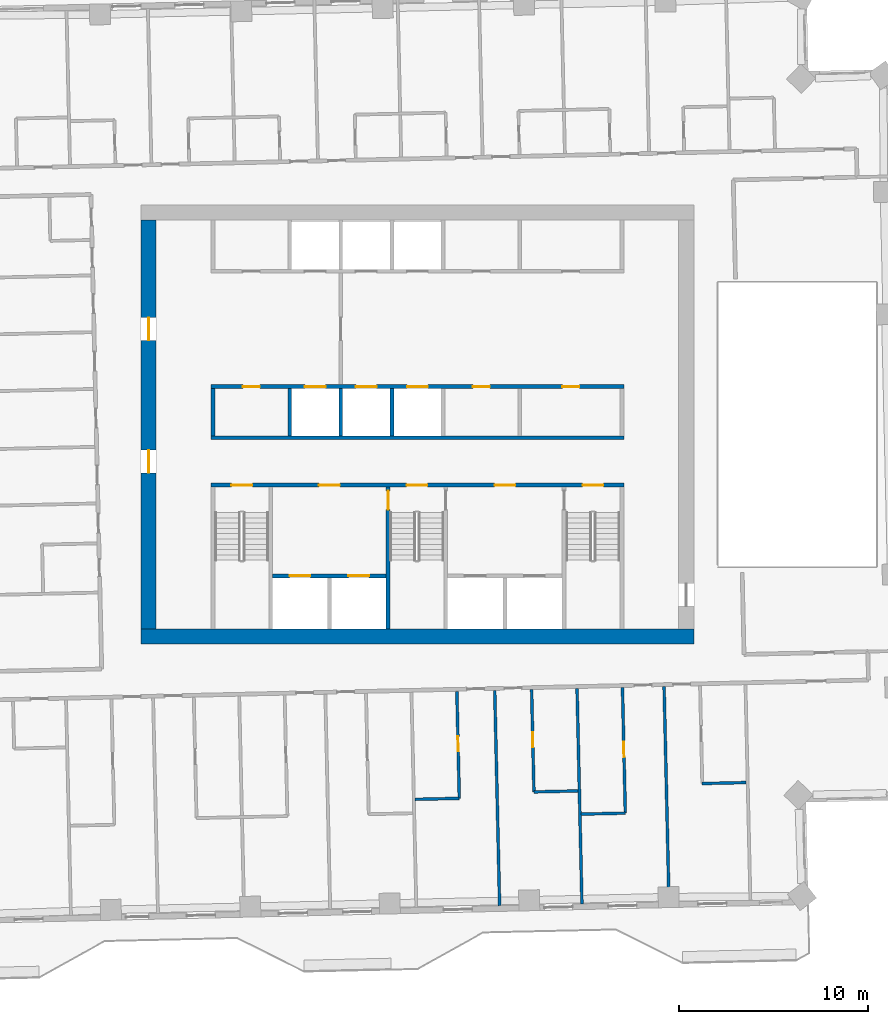
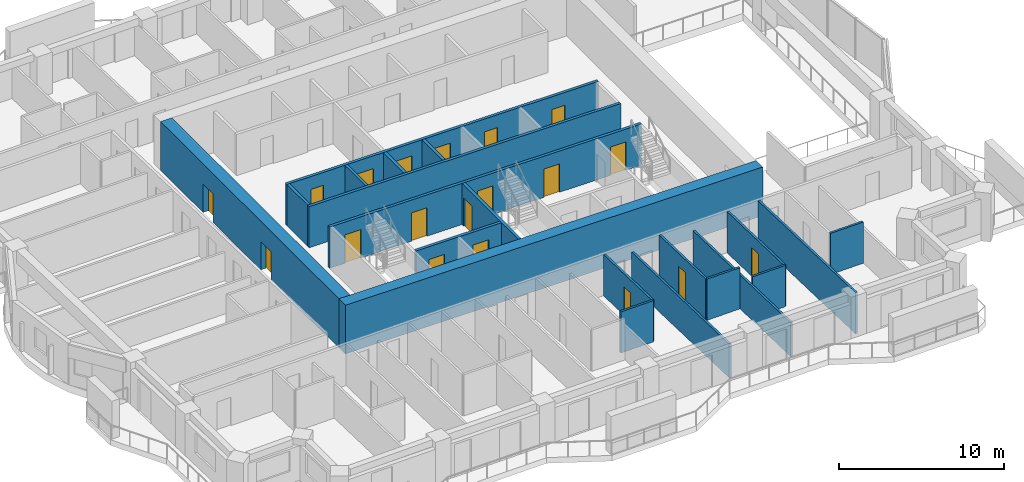
# One storey, part 8 of 17: 21 walls, 19 doors, 19 openings.
"""IFC4 building model written with IfcOpenShell, lengths in metres."""

from ifc_helpers import new_model, si_unit, direction, frame, frame_2d, origin, place, context, subcontext, project, spatial, rectangle, extrude, material, layer, layer_set, type_object, element, fill, save


model = new_model("IFC4")

# Units and contexts
model_context = context("Model", 3, precision=1e-05, world=origin(), true_north=direction((0.0, 1.0)))
body_context = subcontext(model_context, "Body", "Model", "MODEL_VIEW")
ifc_project = project(units=[si_unit("LENGTHUNIT", "METRE"), si_unit("AREAUNIT", "SQUARE_METRE"), si_unit("VOLUMEUNIT", "CUBIC_METRE"), si_unit("PLANEANGLEUNIT", "RADIAN"), si_unit("MASSUNIT", "GRAM", prefix="KILO")], contexts=[model_context])

# Site, building, storey
site_placement = place(None, origin())
site = spatial("IfcSite", under=ifc_project, at=site_placement, CompositionType="ELEMENT")
building_placement = place(site_placement, origin())
building = spatial("IfcBuilding", under=site, at=building_placement, Name="Mangrove Gate Tower", CompositionType="ELEMENT")
storey_placement = place(building_placement, frame((0.0, 0.0, 238.300048828125)))
storey = spatial("IfcBuildingStorey", under=building, at=storey_placement, Name="L60", CompositionType="ELEMENT", Elevation=238.300048828125)

# Walls
ifc_material_1 = material(Name="Concrete C32/40", Category="concrete")
ifc_layer_1 = layer(ifc_material_1, 0.199951171875)
ifc_layer_set_1 = layer_set([ifc_layer_1], Name="Core room wall 200 C32/40")
wall_type_1 = type_object("IfcWallType", Name="Core room wall 200 C32/40", PredefinedType="STANDARD", material=ifc_layer_set_1)
wall_1_placement = place(storey_placement, frame((-10.800048828125, -0.60009765625, 0.0), z_axis=(0.0, 0.0, 1.0), x_axis=(0.0, 1.0, 0.0)))
element("IfcWall", 1, at=wall_1_placement, inside=storey, type_object=wall_type_1, Name="WALL-L60-CORE-19", PredefinedType="STANDARD", context=body_context, shape_type="SweptSolid", body=[
    extrude(rectangle(XDim=2.5, YDim=0.199951171875, at=frame_2d((1.25, 0.0))), origin(), (0.0, 0.0, 1.0), 3.050048828125),
])
ifc_material_2 = material(Name="Concrete C60/75", Category="concrete")
ifc_layer_2 = layer(ifc_material_2, 0.199951171875)
ifc_layer_set_2 = layer_set([ifc_layer_2], Name="Core shaft wall 200 C60/75")
wall_type_2 = type_object("IfcWallType", Name="Core shaft wall 200 C60/75", PredefinedType="SHEAR", material=ifc_layer_set_2)
wall_2_placement = place(storey_placement, frame((-10.89990234375, -0.699951171875, 0.0), z_axis=(0.0, 0.0, 1.0), x_axis=(1.0, 0.0, 0.0)))
element("IfcWall", 2, at=wall_2_placement, inside=storey, type_object=wall_type_2, Name="WALL-L60-CORE-6", PredefinedType="SHEAR", context=body_context, shape_type="SweptSolid", body=[
    extrude(rectangle(XDim=21.7998046875, YDim=0.199951171875, at=frame_2d((10.89990234375, 0.0))), origin(), (0.0, 0.0, 1.0), 3.050048828125),
])

# Wall, openings, doors
wall_3_placement = place(storey_placement, frame((-10.89990234375, 2.0, 0.0), z_axis=(0.0, 0.0, 1.0), x_axis=(1.0, 0.0, 0.0)))
wall_3 = element("IfcWall", 3, at=wall_3_placement, inside=storey, type_object=wall_type_2, Name="WALL-L60-CORE-7", PredefinedType="SHEAR", context=body_context, shape_type="SweptSolid", body=[
    extrude(rectangle(XDim=21.7998046875, YDim=0.199951171875, at=frame_2d((10.89990234375, 0.0))), origin(), (0.0, 0.0, 1.0), 3.050048828125),
])
opening_1_placement = place(wall_3_placement, frame((4.949951171875, 0.0, 0.0)))
opening_1 = element("IfcOpeningElement", 4, at=opening_1_placement, cuts=wall_3, Name="Opening LD", PredefinedType="OPENING", context=body_context, shape_type="SweptSolid", body=[
    extrude(rectangle(XDim=1.10009765625, YDim=2.10009765625, at=frame_2d((0.550048828125, 1.050048828125))), frame((0.0, 0.10986328125, 0.0), z_axis=(0.0, -1.0, 0.0), x_axis=(1.0, 0.0, 0.0)), (0.0, 0.0, 1.0), 0.219970703125),
])
opening_2_placement = place(wall_3_placement, frame((7.64990234375, 0.0, 0.0)))
opening_2 = element("IfcOpeningElement", 5, at=opening_2_placement, cuts=wall_3, Name="Opening LD", PredefinedType="OPENING", context=body_context, shape_type="SweptSolid", body=[
    extrude(rectangle(XDim=1.10009765625, YDim=2.10009765625, at=frame_2d((0.550048828125, 1.050048828125))), frame((0.0, 0.10986328125, 0.0), z_axis=(0.0, -1.0, 0.0), x_axis=(1.0, 0.0, 0.0)), (0.0, 0.0, 1.0), 0.219970703125),
])
opening_3_placement = place(wall_3_placement, frame((10.35009765625, 0.0, 0.0)))
opening_3 = element("IfcOpeningElement", 6, at=opening_3_placement, cuts=wall_3, Name="Opening LD", PredefinedType="OPENING", context=body_context, shape_type="SweptSolid", body=[
    extrude(rectangle(XDim=1.10009765625, YDim=2.10009765625, at=frame_2d((0.550048828125, 1.050048828125))), frame((0.0, 0.10986328125, 0.0), z_axis=(0.0, -1.0, 0.0), x_axis=(1.0, 0.0, 0.0)), (0.0, 0.0, 1.0), 0.219970703125),
])
opening_4_placement = place(wall_3_placement, frame((1.675048828125, 0.0, 0.0)))
opening_4 = element("IfcOpeningElement", 7, at=opening_4_placement, cuts=wall_3, Name="Opening RD", PredefinedType="OPENING", context=body_context, shape_type="SweptSolid", body=[
    extrude(rectangle(XDim=0.89990234375, YDim=2.10009765625, at=frame_2d((0.449951171875, 1.050048828125))), frame((0.0, 0.10986328125, 0.0), z_axis=(0.0, -1.0, 0.0), x_axis=(1.0, 0.0, 0.0)), (0.0, 0.0, 1.0), 0.219970703125),
])
opening_5_placement = place(wall_3_placement, frame((13.824951171875, 0.0, 0.0)))
opening_5 = element("IfcOpeningElement", 8, at=opening_5_placement, cuts=wall_3, Name="Opening KD", PredefinedType="OPENING", context=body_context, shape_type="SweptSolid", body=[
    extrude(rectangle(XDim=0.89990234375, YDim=2.10009765625, at=frame_2d((0.449951171875, 1.050048828125))), frame((0.0, 0.10986328125, 0.0), z_axis=(0.0, -1.0, 0.0), x_axis=(1.0, 0.0, 0.0)), (0.0, 0.0, 1.0), 0.219970703125),
])
opening_6_placement = place(wall_3_placement, frame((18.550048828125, 0.0, 0.0)))
opening_6 = element("IfcOpeningElement", 9, at=opening_6_placement, cuts=wall_3, Name="Opening KD", PredefinedType="OPENING", context=body_context, shape_type="SweptSolid", body=[
    extrude(rectangle(XDim=0.89990234375, YDim=2.10009765625, at=frame_2d((0.449951171875, 1.050048828125))), frame((0.0, 0.10986328125, 0.0), z_axis=(0.0, -1.0, 0.0), x_axis=(1.0, 0.0, 0.0)), (0.0, 0.0, 1.0), 0.219970703125),
])
ifc_material_3 = material(Name="Fire-rated steel door set", Category="steel")
door_type_1 = type_object("IfcDoorType", Name="Core room door FD30S 900x2100", OperationType="SINGLE_SWING_RIGHT", PredefinedType="DOOR", material=ifc_material_3)
door_1_placement = place(opening_5_placement, origin())
door_1 = element("IfcDoor", 10, at=door_1_placement, inside=storey, type_object=door_type_1, Name="Core room door Core WC", OperationType="SINGLE_SWING_RIGHT", OverallHeight=2.10009765625, OverallWidth=0.89990234375, PredefinedType="DOOR", context=body_context, shape_type="SweptSolid", body=[
    extrude(rectangle(XDim=0.89990234375, YDim=2.10009765625, at=frame_2d((0.449951171875, 1.050048828125))), frame((0.0, 0.02490234375, 0.0), z_axis=(0.0, -1.0, 0.0), x_axis=(1.0, 0.0, 0.0)), (0.0, 0.0, 1.0), 0.050048828125),
])
fill(opening_5, door_1)
door_2_placement = place(opening_6_placement, origin())
door_2 = element("IfcDoor", 11, at=door_2_placement, inside=storey, type_object=door_type_1, Name="Core room door Pantry store", OperationType="SINGLE_SWING_RIGHT", OverallHeight=2.10009765625, OverallWidth=0.89990234375, PredefinedType="DOOR", context=body_context, shape_type="SweptSolid", body=[
    extrude(rectangle(XDim=0.89990234375, YDim=2.10009765625, at=frame_2d((0.449951171875, 1.050048828125))), frame((0.0, 0.02490234375, 0.0), z_axis=(0.0, -1.0, 0.0), x_axis=(1.0, 0.0, 0.0)), (0.0, 0.0, 1.0), 0.050048828125),
])
fill(opening_6, door_2)
ifc_material_4 = material(Name="Stainless steel 316", Category="steel")
door_type_2 = type_object("IfcDoorType", Name="Lift landing door 1100x2100", OperationType="SLIDING_TO_LEFT", PredefinedType="DOOR", material=ifc_material_4)
door_3_placement = place(opening_1_placement, origin())
door_3 = element("IfcDoor", 12, at=door_3_placement, inside=storey, type_object=door_type_2, Name="Landing door LD H01", OperationType="SLIDING_TO_LEFT", OverallHeight=2.10009765625, OverallWidth=1.10009765625, PredefinedType="DOOR", context=body_context, shape_type="SweptSolid", body=[
    extrude(rectangle(XDim=1.10009765625, YDim=2.10009765625, at=frame_2d((0.550048828125, 1.050048828125))), frame((0.0, 0.02490234375, 0.0), z_axis=(0.0, -1.0, 0.0), x_axis=(1.0, 0.0, 0.0)), (0.0, 0.0, 1.0), 0.050048828125),
])
fill(opening_1, door_3)
door_4_placement = place(opening_2_placement, origin())
door_4 = element("IfcDoor", 13, at=door_4_placement, inside=storey, type_object=door_type_2, Name="Landing door LD H02", OperationType="SLIDING_TO_LEFT", OverallHeight=2.10009765625, OverallWidth=1.10009765625, PredefinedType="DOOR", context=body_context, shape_type="SweptSolid", body=[
    extrude(rectangle(XDim=1.10009765625, YDim=2.10009765625, at=frame_2d((0.550048828125, 1.050048828125))), frame((0.0, 0.02490234375, 0.0), z_axis=(0.0, -1.0, 0.0), x_axis=(1.0, 0.0, 0.0)), (0.0, 0.0, 1.0), 0.050048828125),
])
fill(opening_2, door_4)
door_5_placement = place(opening_3_placement, origin())
door_5 = element("IfcDoor", 14, at=door_5_placement, inside=storey, type_object=door_type_2, Name="Landing door LD H03", OperationType="SLIDING_TO_LEFT", OverallHeight=2.10009765625, OverallWidth=1.10009765625, PredefinedType="DOOR", context=body_context, shape_type="SweptSolid", body=[
    extrude(rectangle(XDim=1.10009765625, YDim=2.10009765625, at=frame_2d((0.550048828125, 1.050048828125))), frame((0.0, 0.02490234375, 0.0), z_axis=(0.0, -1.0, 0.0), x_axis=(1.0, 0.0, 0.0)), (0.0, 0.0, 1.0), 0.050048828125),
])
fill(opening_3, door_5)
ifc_material_5 = material(Name="Fire-rated steel door set", Category="steel")
door_type_3 = type_object("IfcDoorType", Name="Riser door FD30S 900x2100", OperationType="SINGLE_SWING_LEFT", PredefinedType="DOOR", material=ifc_material_5)
door_6_placement = place(opening_4_placement, origin())
door_6 = element("IfcDoor", 15, at=door_6_placement, inside=storey, type_object=door_type_3, Name="Riser door Comms room", OperationType="SINGLE_SWING_LEFT", OverallHeight=2.10009765625, OverallWidth=0.89990234375, PredefinedType="DOOR", context=body_context, shape_type="SweptSolid", body=[
    extrude(rectangle(XDim=0.89990234375, YDim=2.10009765625, at=frame_2d((0.449951171875, 1.050048828125))), frame((0.0, 0.02490234375, 0.0), z_axis=(0.0, -1.0, 0.0), x_axis=(1.0, 0.0, 0.0)), (0.0, 0.0, 1.0), 0.050048828125),
])
fill(opening_4, door_6)

wall_4_placement = place(storey_placement, frame((-7.64990234375, -8.0, 0.0), z_axis=(0.0, 0.0, 1.0), x_axis=(1.0, 0.0, 0.0)))
wall_4 = element("IfcWall", 16, at=wall_4_placement, inside=storey, type_object=wall_type_2, Name="WALL-L60-CORE-15", PredefinedType="SHEAR", context=body_context, shape_type="SweptSolid", body=[
    extrude(rectangle(XDim=6.0, YDim=0.199951171875, at=frame_2d((3.0, 0.0))), origin(), (0.0, 0.0, 1.0), 3.050048828125),
])
opening_7_placement = place(wall_4_placement, frame((0.89990234375, 0.0, 0.0)))
opening_7 = element("IfcOpeningElement", 17, at=opening_7_placement, cuts=wall_4, Name="Opening LD", PredefinedType="OPENING", context=body_context, shape_type="SweptSolid", body=[
    extrude(rectangle(XDim=1.10009765625, YDim=2.10009765625, at=frame_2d((0.550048828125, 1.050048828125))), frame((0.0, 0.10986328125, 0.0), z_axis=(0.0, -1.0, 0.0), x_axis=(1.0, 0.0, 0.0)), (0.0, 0.0, 1.0), 0.219970703125),
])
opening_8_placement = place(wall_4_placement, frame((4.0, 0.0, 0.0)))
opening_8 = element("IfcOpeningElement", 18, at=opening_8_placement, cuts=wall_4, Name="Opening LD", PredefinedType="OPENING", context=body_context, shape_type="SweptSolid", body=[
    extrude(rectangle(XDim=1.10009765625, YDim=2.10009765625, at=frame_2d((0.550048828125, 1.050048828125))), frame((0.0, 0.10986328125, 0.0), z_axis=(0.0, -1.0, 0.0), x_axis=(1.0, 0.0, 0.0)), (0.0, 0.0, 1.0), 0.219970703125),
])
door_7_placement = place(opening_7_placement, origin())
door_7 = element("IfcDoor", 19, at=door_7_placement, inside=storey, type_object=door_type_2, Name="Landing door LD SVL1", OperationType="SLIDING_TO_LEFT", OverallHeight=2.10009765625, OverallWidth=1.10009765625, PredefinedType="DOOR", context=body_context, shape_type="SweptSolid", body=[
    extrude(rectangle(XDim=1.10009765625, YDim=2.10009765625, at=frame_2d((0.550048828125, 1.050048828125))), frame((0.0, 0.02490234375, 0.0), z_axis=(0.0, -1.0, 0.0), x_axis=(1.0, 0.0, 0.0)), (0.0, 0.0, 1.0), 0.050048828125),
])
fill(opening_7, door_7)
door_8_placement = place(opening_8_placement, origin())
door_8 = element("IfcDoor", 20, at=door_8_placement, inside=storey, type_object=door_type_2, Name="Landing door LD SVL2", OperationType="SLIDING_TO_LEFT", OverallHeight=2.10009765625, OverallWidth=1.10009765625, PredefinedType="DOOR", context=body_context, shape_type="SweptSolid", body=[
    extrude(rectangle(XDim=1.10009765625, YDim=2.10009765625, at=frame_2d((0.550048828125, 1.050048828125))), frame((0.0, 0.02490234375, 0.0), z_axis=(0.0, -1.0, 0.0), x_axis=(1.0, 0.0, 0.0)), (0.0, 0.0, 1.0), 0.050048828125),
])
fill(opening_8, door_8)

# Walls
for number, where, z_axis, x_axis, name in (
    (21, (-6.75, -0.60009765625, 0.0), (0.0, 0.0, 1.0), (0.0, 1.0, 0.0), "WALL-L60-CORE-20"),
    (22, (-4.050048828125, -0.60009765625, 0.0), (0.0, 0.0, 1.0), (0.0, 1.0, 0.0), "WALL-L60-CORE-21"),
    (23, (-1.35009765625, -0.60009765625, 0.0), (0.0, 0.0, 1.0), (0.0, 1.0, 0.0), "WALL-L60-CORE-22"),
):
    element("IfcWall", number, at=place(storey_placement, frame(where, z_axis=z_axis, x_axis=x_axis)), inside=storey, type_object=wall_type_2, Name=name, PredefinedType="SHEAR", context=body_context, shape_type="SweptSolid", body=[
        extrude(rectangle(XDim=2.5, YDim=0.199951171875, at=frame_2d((1.25, 0.0))), origin(), (0.0, 0.0, 1.0), 3.050048828125),
    ])

# Wall, openings, doors
ifc_material_6 = material(Name="Concrete C60/75", Category="concrete")
ifc_layer_3 = layer(ifc_material_6, 0.199951171875)
ifc_layer_set_3 = layer_set([ifc_layer_3], Name="Core stair wall 200 C60/75")
wall_type_3 = type_object("IfcWallType", Name="Core stair wall 200 C60/75", PredefinedType="SHEAR", material=ifc_layer_set_3)
wall_5_placement = place(storey_placement, frame((-10.89990234375, -3.199951171875, 0.0), z_axis=(0.0, 0.0, 1.0), x_axis=(1.0, 0.0, 0.0)))
wall_5 = element("IfcWall", 24, at=wall_5_placement, inside=storey, type_object=wall_type_3, Name="WALL-L60-CORE-5", PredefinedType="SHEAR", context=body_context, shape_type="SweptSolid", body=[
    extrude(rectangle(XDim=21.7998046875, YDim=0.199951171875, at=frame_2d((10.89990234375, 0.0))), origin(), (0.0, 0.0, 1.0), 3.050048828125),
])
opening_9_placement = place(wall_5_placement, frame((1.074951171875, 0.0, 0.0)))
opening_9 = element("IfcOpeningElement", 25, at=opening_9_placement, cuts=wall_5, Name="Opening STD11", PredefinedType="OPENING", context=body_context, shape_type="SweptSolid", body=[
    extrude(rectangle(XDim=1.10009765625, YDim=2.10009765625, at=frame_2d((0.550048828125, 1.050048828125))), frame((0.0, 0.10986328125, 0.0), z_axis=(0.0, -1.0, 0.0), x_axis=(1.0, 0.0, 0.0)), (0.0, 0.0, 1.0), 0.219970703125),
])
opening_10_placement = place(wall_5_placement, frame((10.324951171875, 0.0, 0.0)))
opening_10 = element("IfcOpeningElement", 26, at=opening_10_placement, cuts=wall_5, Name="Opening STD11", PredefinedType="OPENING", context=body_context, shape_type="SweptSolid", body=[
    extrude(rectangle(XDim=1.10009765625, YDim=2.10009765625, at=frame_2d((0.550048828125, 1.050048828125))), frame((0.0, 0.10986328125, 0.0), z_axis=(0.0, -1.0, 0.0), x_axis=(1.0, 0.0, 0.0)), (0.0, 0.0, 1.0), 0.219970703125),
])
opening_11_placement = place(wall_5_placement, frame((19.625, 0.0, 0.0)))
opening_11 = element("IfcOpeningElement", 27, at=opening_11_placement, cuts=wall_5, Name="Opening STD11", PredefinedType="OPENING", context=body_context, shape_type="SweptSolid", body=[
    extrude(rectangle(XDim=1.10009765625, YDim=2.10009765625, at=frame_2d((0.550048828125, 1.050048828125))), frame((0.0, 0.10986328125, 0.0), z_axis=(0.0, -1.0, 0.0), x_axis=(1.0, 0.0, 0.0)), (0.0, 0.0, 1.0), 0.219970703125),
])
opening_12_placement = place(wall_5_placement, frame((5.699951171875, 0.0, 0.0)))
opening_12 = element("IfcOpeningElement", 28, at=opening_12_placement, cuts=wall_5, Name="Opening FL", PredefinedType="OPENING", context=body_context, shape_type="SweptSolid", body=[
    extrude(rectangle(XDim=1.10009765625, YDim=2.10009765625, at=frame_2d((0.550048828125, 1.050048828125))), frame((0.0, 0.10986328125, 0.0), z_axis=(0.0, -1.0, 0.0), x_axis=(1.0, 0.0, 0.0)), (0.0, 0.0, 1.0), 0.219970703125),
])
opening_13_placement = place(wall_5_placement, frame((14.97509765625, 0.0, 0.0)))
opening_13 = element("IfcOpeningElement", 29, at=opening_13_placement, cuts=wall_5, Name="Opening FL", PredefinedType="OPENING", context=body_context, shape_type="SweptSolid", body=[
    extrude(rectangle(XDim=1.10009765625, YDim=2.10009765625, at=frame_2d((0.550048828125, 1.050048828125))), frame((0.0, 0.10986328125, 0.0), z_axis=(0.0, -1.0, 0.0), x_axis=(1.0, 0.0, 0.0)), (0.0, 0.0, 1.0), 0.219970703125),
])
ifc_material_7 = material(Name="Fire-rated steel door set", Category="steel")
door_type_4 = type_object("IfcDoorType", Name="Lobby door FD60 1100x2100", OperationType="SINGLE_SWING_LEFT", PredefinedType="DOOR", material=ifc_material_7)
door_9_placement = place(opening_12_placement, origin())
door_9 = element("IfcDoor", 30, at=door_9_placement, inside=storey, type_object=door_type_4, Name="Lobby door service lobby", OperationType="SINGLE_SWING_LEFT", OverallHeight=2.10009765625, OverallWidth=1.10009765625, PredefinedType="DOOR", context=body_context, shape_type="SweptSolid", body=[
    extrude(rectangle(XDim=1.10009765625, YDim=2.10009765625, at=frame_2d((0.550048828125, 1.050048828125))), frame((0.0, 0.02490234375, 0.0), z_axis=(0.0, -1.0, 0.0), x_axis=(1.0, 0.0, 0.0)), (0.0, 0.0, 1.0), 0.050048828125),
])
fill(opening_12, door_9)
door_10_placement = place(opening_13_placement, origin())
door_10 = element("IfcDoor", 31, at=door_10_placement, inside=storey, type_object=door_type_4, Name="Lobby door fire-fighting lobby", OperationType="SINGLE_SWING_LEFT", OverallHeight=2.10009765625, OverallWidth=1.10009765625, PredefinedType="DOOR", context=body_context, shape_type="SweptSolid", body=[
    extrude(rectangle(XDim=1.10009765625, YDim=2.10009765625, at=frame_2d((0.550048828125, 1.050048828125))), frame((0.0, 0.02490234375, 0.0), z_axis=(0.0, -1.0, 0.0), x_axis=(1.0, 0.0, 0.0)), (0.0, 0.0, 1.0), 0.050048828125),
])
fill(opening_13, door_10)
ifc_material_8 = material(Name="Fire-rated steel door set", Category="steel")
door_type_5 = type_object("IfcDoorType", Name="Stair door FD60 1100x2100", OperationType="SINGLE_SWING_RIGHT", PredefinedType="DOOR", material=ifc_material_8)
door_11_placement = place(opening_9_placement, origin())
door_11 = element("IfcDoor", 32, at=door_11_placement, inside=storey, type_object=door_type_5, Name="Stair door Stair 1", OperationType="SINGLE_SWING_RIGHT", OverallHeight=2.10009765625, OverallWidth=1.10009765625, PredefinedType="DOOR", context=body_context, shape_type="SweptSolid", body=[
    extrude(rectangle(XDim=1.10009765625, YDim=2.10009765625, at=frame_2d((0.550048828125, 1.050048828125))), frame((0.0, 0.02490234375, 0.0), z_axis=(0.0, -1.0, 0.0), x_axis=(1.0, 0.0, 0.0)), (0.0, 0.0, 1.0), 0.050048828125),
])
fill(opening_9, door_11)
door_12_placement = place(opening_10_placement, origin())
door_12 = element("IfcDoor", 33, at=door_12_placement, inside=storey, type_object=door_type_5, Name="Stair door Stair 2", OperationType="SINGLE_SWING_RIGHT", OverallHeight=2.10009765625, OverallWidth=1.10009765625, PredefinedType="DOOR", context=body_context, shape_type="SweptSolid", body=[
    extrude(rectangle(XDim=1.10009765625, YDim=2.10009765625, at=frame_2d((0.550048828125, 1.050048828125))), frame((0.0, 0.02490234375, 0.0), z_axis=(0.0, -1.0, 0.0), x_axis=(1.0, 0.0, 0.0)), (0.0, 0.0, 1.0), 0.050048828125),
])
fill(opening_10, door_12)
door_13_placement = place(opening_11_placement, origin())
door_13 = element("IfcDoor", 34, at=door_13_placement, inside=storey, type_object=door_type_5, Name="Stair door Stair 3", OperationType="SINGLE_SWING_RIGHT", OverallHeight=2.10009765625, OverallWidth=1.10009765625, PredefinedType="DOOR", context=body_context, shape_type="SweptSolid", body=[
    extrude(rectangle(XDim=1.10009765625, YDim=2.10009765625, at=frame_2d((0.550048828125, 1.050048828125))), frame((0.0, 0.02490234375, 0.0), z_axis=(0.0, -1.0, 0.0), x_axis=(1.0, 0.0, 0.0)), (0.0, 0.0, 1.0), 0.050048828125),
])
fill(opening_11, door_13)

# Wall, opening, door
wall_6_placement = place(storey_placement, frame((-1.550048828125, -10.800048828125, 0.0), z_axis=(0.0, 0.0, 1.0), x_axis=(0.0, 1.0, 0.0)))
wall_6 = element("IfcWall", 35, at=wall_6_placement, inside=storey, type_object=wall_type_3, Name="WALL-L60-CORE-11", PredefinedType="SHEAR", context=body_context, shape_type="SweptSolid", body=[
    extrude(rectangle(XDim=7.5, YDim=0.199951171875, at=frame_2d((3.75, 0.0))), origin(), (0.0, 0.0, 1.0), 3.050048828125),
])
opening_14_placement = place(wall_6_placement, frame((6.300048828125, 0.0, 0.0)))
opening_14 = element("IfcOpeningElement", 36, at=opening_14_placement, cuts=wall_6, Name="Opening STD10", PredefinedType="OPENING", context=body_context, shape_type="SweptSolid", body=[
    extrude(rectangle(XDim=1.0, YDim=2.10009765625, at=frame_2d((0.5, 1.050048828125))), frame((0.0, 0.10986328125, 0.0), z_axis=(0.0, -1.0, 0.0), x_axis=(1.0, 0.0, 0.0)), (0.0, 0.0, 1.0), 0.219970703125),
])
ifc_material_9 = material(Name="Fire-rated steel door set", Category="steel")
door_type_6 = type_object("IfcDoorType", Name="Stair door FD60 1000x2100", OperationType="SINGLE_SWING_RIGHT", PredefinedType="DOOR", material=ifc_material_9)
door_14_placement = place(opening_14_placement, origin())
door_14 = element("IfcDoor", 37, at=door_14_placement, inside=storey, type_object=door_type_6, Name="Stair door Stair 2 from service lobby", OperationType="SINGLE_SWING_RIGHT", OverallHeight=2.10009765625, OverallWidth=1.0, PredefinedType="DOOR", context=body_context, shape_type="SweptSolid", body=[
    extrude(rectangle(XDim=1.0, YDim=2.10009765625, at=frame_2d((0.5, 1.050048828125))), frame((0.0, 0.02490234375, 0.0), z_axis=(0.0, -1.0, 0.0), x_axis=(1.0, 0.0, 0.0)), (0.0, 0.0, 1.0), 0.050048828125),
])
fill(opening_14, door_14)

# Wall
ifc_material_10 = material(Name="Concrete C60/75", Category="concrete")
ifc_layer_4 = layer(ifc_material_10, 0.800048828125)
ifc_layer_set_4 = layer_set([ifc_layer_4], Name="Core wall 800 C60/75")
wall_type_4 = type_object("IfcWallType", Name="Core wall 800 C60/75", PredefinedType="SHEAR", material=ifc_layer_set_4)
wall_7_placement = place(storey_placement, frame((-14.60009765625, -11.199951171875, 0.0), z_axis=(0.0, 0.0, 1.0), x_axis=(1.0, 0.0, 0.0)))
element("IfcWall", 38, at=wall_7_placement, inside=storey, type_object=wall_type_4, Name="WALL-L60-CORE-1", PredefinedType="SHEAR", context=body_context, shape_type="SweptSolid", body=[
    extrude(rectangle(XDim=29.2001953125, YDim=0.800048828125, at=frame_2d((14.60009765625, 0.0))), origin(), (0.0, 0.0, 1.0), 3.599853515625),
])

# Wall, openings, doors
wall_8_placement = place(storey_placement, frame((-14.199951171875, -10.800048828125, 0.0), z_axis=(0.0, 0.0, 1.0), x_axis=(0.0, 1.0, 0.0)))
wall_8 = element("IfcWall", 39, at=wall_8_placement, inside=storey, type_object=wall_type_4, Name="WALL-L60-CORE-3", PredefinedType="SHEAR", context=body_context, shape_type="SweptSolid", body=[
    extrude(rectangle(XDim=21.60009765625, YDim=0.800048828125, at=frame_2d((10.800048828125, 0.0))), origin(), (0.0, 0.0, 1.0), 3.599853515625),
])
opening_15_placement = place(wall_8_placement, frame((8.25, 0.0, 0.0)))
opening_15 = element("IfcOpeningElement", 40, at=opening_15_placement, cuts=wall_8, Name="Opening CD", PredefinedType="OPENING", context=body_context, shape_type="SweptSolid", body=[
    extrude(rectangle(XDim=1.199951171875, YDim=2.10009765625, at=frame_2d((0.60009765625, 1.050048828125))), frame((0.0, 0.409912109375, 0.0), z_axis=(0.0, -1.0, 0.0), x_axis=(1.0, 0.0, 0.0)), (0.0, 0.0, 1.0), 0.820068359375),
])
opening_16_placement = place(wall_8_placement, frame((15.25, 0.0, 0.0)))
opening_16 = element("IfcOpeningElement", 41, at=opening_16_placement, cuts=wall_8, Name="Opening CD", PredefinedType="OPENING", context=body_context, shape_type="SweptSolid", body=[
    extrude(rectangle(XDim=1.199951171875, YDim=2.10009765625, at=frame_2d((0.60009765625, 1.050048828125))), frame((0.0, 0.409912109375, 0.0), z_axis=(0.0, -1.0, 0.0), x_axis=(1.0, 0.0, 0.0)), (0.0, 0.0, 1.0), 0.820068359375),
])
ifc_material_11 = material(Name="Fire-rated steel door set", Category="steel")
door_type_7 = type_object("IfcDoorType", Name="Core ring door FD60 1200x2100", OperationType="DOUBLE_DOOR_SINGLE_SWING", PredefinedType="DOOR", material=ifc_material_11)
door_15_placement = place(opening_15_placement, origin())
door_15 = element("IfcDoor", 42, at=door_15_placement, inside=storey, type_object=door_type_7, Name="Core ring door W1", OperationType="DOUBLE_DOOR_SINGLE_SWING", OverallHeight=2.10009765625, OverallWidth=1.199951171875, PredefinedType="DOOR", context=body_context, shape_type="SweptSolid", body=[
    extrude(rectangle(XDim=1.199951171875, YDim=2.10009765625, at=frame_2d((0.60009765625, 1.050048828125))), frame((0.0, 0.02490234375, 0.0), z_axis=(0.0, -1.0, 0.0), x_axis=(1.0, 0.0, 0.0)), (0.0, 0.0, 1.0), 0.050048828125),
])
fill(opening_15, door_15)
door_16_placement = place(opening_16_placement, origin())
door_16 = element("IfcDoor", 43, at=door_16_placement, inside=storey, type_object=door_type_7, Name="Core ring door W2", OperationType="DOUBLE_DOOR_SINGLE_SWING", OverallHeight=2.10009765625, OverallWidth=1.199951171875, PredefinedType="DOOR", context=body_context, shape_type="SweptSolid", body=[
    extrude(rectangle(XDim=1.199951171875, YDim=2.10009765625, at=frame_2d((0.60009765625, 1.050048828125))), frame((0.0, 0.02490234375, 0.0), z_axis=(0.0, -1.0, 0.0), x_axis=(1.0, 0.0, 0.0)), (0.0, 0.0, 1.0), 0.050048828125),
])
fill(opening_16, door_16)

# Walls
ifc_material_12 = material(Name="Gypsum board on steel stud, EI 60", Category="steel")
ifc_layer_5 = layer(ifc_material_12, 0.14990234375)
ifc_layer_set_5 = layer_set([ifc_layer_5], Name="Party wall 150 EI 60")
wall_type_5 = type_object("IfcWallType", Name="Party wall 150 EI 60", PredefinedType="PARTITIONING", material=ifc_layer_set_5)
wall_9_placement = place(storey_placement, frame((4.341064453125, -25.4208984375, 0.0), z_axis=(0.0, 0.0, 1.0), x_axis=(-0.022684842063, 0.99974266586, 0.0)))
element("IfcWall", 44, at=wall_9_placement, inside=storey, type_object=wall_type_5, Name="WALL-L60-006", PredefinedType="PARTITIONING", context=body_context, shape_type="SweptSolid", body=[
    extrude(rectangle(XDim=11.375732421875, YDim=0.14990234375, at=frame_2d((5.68798828125, 0.0))), origin(), (0.0, 0.0, 1.0), 2.5),
])
wall_10_placement = place(storey_placement, frame((8.68994140625, -25.322998046875, 0.0), z_axis=(0.0, 0.0, 1.0), x_axis=(-0.022684355347, 0.999742676904, 0.0)))
element("IfcWall", 45, at=wall_10_placement, inside=storey, type_object=wall_type_5, Name="WALL-L60-007", PredefinedType="PARTITIONING", context=body_context, shape_type="SweptSolid", body=[
    extrude(rectangle(XDim=11.3759765625, YDim=0.14990234375, at=frame_2d((5.68798828125, 0.0))), origin(), (0.0, 0.0, 1.0), 2.5),
])
wall_11_placement = place(storey_placement, frame((13.2890625, -25.218017578125, 0.0), z_axis=(0.0, 0.0, 1.0), x_axis=(-0.022770155219, 0.999740726404, 0.0)))
element("IfcWall", 46, at=wall_11_placement, inside=storey, type_object=wall_type_5, Name="WALL-L60-008", PredefinedType="PARTITIONING", context=body_context, shape_type="SweptSolid", body=[
    extrude(rectangle(XDim=11.3759765625, YDim=0.14990234375, at=frame_2d((5.68798828125, 0.0))), origin(), (0.0, 0.0, 1.0), 3.050048828125),
])

# Wall, opening, door
wall_12_placement = place(storey_placement, frame((10.98193359375, -20.532958984375, 0.0), z_axis=(0.0, 0.0, 1.0), x_axis=(-0.02272391111, 0.999741778593, 0.0)))
wall_12 = element("IfcWall", 47, at=wall_12_placement, inside=storey, type_object=wall_type_5, Name="WALL-L60-011", PredefinedType="PARTITIONING", context=body_context, shape_type="SweptSolid", body=[
    extrude(rectangle(XDim=6.6396484375, YDim=0.14990234375, at=frame_2d((3.31982421875, 0.0))), origin(), (0.0, 0.0, 1.0), 3.050048828125),
])
opening_17_placement = place(wall_12_placement, frame((2.969970703125, 0.0, 0.0)))
opening_17 = element("IfcOpeningElement", 48, at=opening_17_placement, cuts=wall_12, Name="Opening ED", PredefinedType="OPENING", context=body_context, shape_type="SweptSolid", body=[
    extrude(rectangle(XDim=0.800048828125, YDim=2.10009765625, at=frame_2d((0.39990234375, 1.050048828125))), frame((0.0, 0.0849609375, 0.0), z_axis=(0.0, -1.0, 0.0), x_axis=(1.0, 0.0, 0.0)), (0.0, 0.0, 1.0), 0.169921875),
])
ifc_material_13 = material(Name="Timber door leaf", Category="wood")
door_type_8 = type_object("IfcDoorType", Name="En-suite door 800", OperationType="SINGLE_SWING_LEFT", PredefinedType="DOOR", material=ifc_material_13)
door_17_placement = place(opening_17_placement, origin())
door_17 = element("IfcDoor", 49, at=door_17_placement, inside=storey, type_object=door_type_8, Name="DOOR-L60-ENS-c207", OperationType="SINGLE_SWING_LEFT", OverallHeight=2.10009765625, OverallWidth=0.800048828125, PredefinedType="DOOR", context=body_context, shape_type="SweptSolid", body=[
    extrude(rectangle(XDim=0.800048828125, YDim=2.10009765625, at=frame_2d((0.39990234375, 1.050048828125))), frame((0.0, 0.02490234375, 0.0), z_axis=(0.0, -1.0, 0.0), x_axis=(1.0, 0.0, 0.0)), (0.0, 0.0, 1.0), 0.050048828125),
])
fill(opening_17, door_17)

# Wall
wall_13_placement = place(storey_placement, frame((8.653076171875, -20.58203125, 0.0), z_axis=(0.0, 0.0, 1.0), x_axis=(0.999749954681, 0.022361308448, 0.0)))
element("IfcWall", 50, at=wall_13_placement, inside=storey, type_object=wall_type_5, Name="WALL-L60-013", PredefinedType="PARTITIONING", context=body_context, shape_type="SweptSolid", body=[
    extrude(rectangle(XDim=2.325439453125, YDim=0.14990234375, at=frame_2d((1.16259765625, 0.0))), origin(), (0.0, 0.0, 1.0), 3.050048828125),
])

# Wall, opening, door
wall_14_placement = place(storey_placement, frame((2.2119140625, -19.751953125, 0.0), z_axis=(0.0, 0.0, 1.0), x_axis=(-0.022777260759, 0.999740564543, 0.0)))
wall_14 = element("IfcWall", 51, at=wall_14_placement, inside=storey, type_object=wall_type_5, Name="WALL-L60-019", PredefinedType="PARTITIONING", context=body_context, shape_type="SweptSolid", body=[
    extrude(rectangle(XDim=5.659423828125, YDim=0.14990234375, at=frame_2d((2.82958984375, 0.0))), origin(), (0.0, 0.0, 1.0), 3.050048828125),
])
opening_18_placement = place(wall_14_placement, frame((2.47998046875, 0.0, 0.0)))
opening_18 = element("IfcOpeningElement", 52, at=opening_18_placement, cuts=wall_14, Name="Opening ED", PredefinedType="OPENING", context=body_context, shape_type="SweptSolid", body=[
    extrude(rectangle(XDim=0.800048828125, YDim=2.10009765625, at=frame_2d((0.39990234375, 1.050048828125))), frame((0.0, 0.0849609375, 0.0), z_axis=(0.0, -1.0, 0.0), x_axis=(1.0, 0.0, 0.0)), (0.0, 0.0, 1.0), 0.169921875),
])
door_18_placement = place(opening_18_placement, origin())
door_18 = element("IfcDoor", 53, at=door_18_placement, inside=storey, type_object=door_type_8, Name="DOOR-L60-ENS-c205", OperationType="SINGLE_SWING_LEFT", OverallHeight=2.10009765625, OverallWidth=0.800048828125, PredefinedType="DOOR", context=body_context, shape_type="SweptSolid", body=[
    extrude(rectangle(XDim=0.800048828125, YDim=2.10009765625, at=frame_2d((0.39990234375, 1.050048828125))), frame((0.0, 0.02490234375, 0.0), z_axis=(0.0, -1.0, 0.0), x_axis=(1.0, 0.0, 0.0)), (0.0, 0.0, 1.0), 0.050048828125),
])
fill(opening_18, door_18)

# Wall
wall_15_placement = place(storey_placement, frame((-0.116943359375, -19.801025390625, 0.0), z_axis=(0.0, 0.0, 1.0), x_axis=(0.999740478815, 0.022781023197, 0.0)))
element("IfcWall", 54, at=wall_15_placement, inside=storey, type_object=wall_type_5, Name="WALL-L60-020", PredefinedType="PARTITIONING", context=body_context, shape_type="SweptSolid", body=[
    extrude(rectangle(XDim=2.325439453125, YDim=0.14990234375, at=frame_2d((1.16259765625, 0.0))), origin(), (0.0, 0.0, 1.0), 3.050048828125),
])

# Wall, opening, door
wall_16_placement = place(storey_placement, frame((6.155029296875, -19.4130859375, 0.0), z_axis=(0.0, 0.0, 1.0), x_axis=(-0.022741905136, 0.999741369431, 0.0)))
wall_16 = element("IfcWall", 55, at=wall_16_placement, inside=storey, type_object=wall_type_5, Name="WALL-L60-021", PredefinedType="PARTITIONING", context=body_context, shape_type="SweptSolid", body=[
    extrude(rectangle(XDim=5.41064453125, YDim=0.14990234375, at=frame_2d((2.705322265625, 0.0))), origin(), (0.0, 0.0, 1.0), 3.050048828125),
])
opening_19_placement = place(wall_16_placement, frame((2.35498046875, 0.0, 0.0)))
opening_19 = element("IfcOpeningElement", 56, at=opening_19_placement, cuts=wall_16, Name="Opening ED", PredefinedType="OPENING", context=body_context, shape_type="SweptSolid", body=[
    extrude(rectangle(XDim=0.800048828125, YDim=2.10009765625, at=frame_2d((0.39990234375, 1.050048828125))), frame((0.0, 0.0849609375, 0.0), z_axis=(0.0, -1.0, 0.0), x_axis=(1.0, 0.0, 0.0)), (0.0, 0.0, 1.0), 0.169921875),
])
door_19_placement = place(opening_19_placement, origin())
door_19 = element("IfcDoor", 57, at=door_19_placement, inside=storey, type_object=door_type_8, Name="DOOR-L60-ENS-c206", OperationType="SINGLE_SWING_RIGHT", OverallHeight=2.10009765625, OverallWidth=0.800048828125, PredefinedType="DOOR", context=body_context, shape_type="SweptSolid", body=[
    extrude(rectangle(XDim=0.800048828125, YDim=2.10009765625, at=frame_2d((0.39990234375, 1.050048828125))), frame((0.0, 0.02490234375, 0.0), z_axis=(0.0, -1.0, 0.0), x_axis=(1.0, 0.0, 0.0)), (0.0, 0.0, 1.0), 0.050048828125),
])
fill(opening_19, door_19)

# Walls
wall_17_placement = place(storey_placement, frame((6.15087890625, -19.408935546875, 0.0), z_axis=(0.0, 0.0, 1.0), x_axis=(0.99974031529, 0.022788198363, 0.0)))
element("IfcWall", 58, at=wall_17_placement, inside=storey, type_object=wall_type_5, Name="WALL-L60-022", PredefinedType="PARTITIONING", context=body_context, shape_type="SweptSolid", body=[
    extrude(rectangle(XDim=2.32470703125, YDim=0.14990234375, at=frame_2d((1.162353515625, 0.0))), origin(), (0.0, 0.0, 1.0), 3.050048828125),
])
wall_18_placement = place(storey_placement, frame((15.04296875, -18.967041015625, 0.0), z_axis=(0.0, 0.0, 1.0), x_axis=(0.999740478815, 0.022781023197, 0.0)))
element("IfcWall", 59, at=wall_18_placement, inside=storey, type_object=wall_type_5, Name="WALL-L60-024", PredefinedType="PARTITIONING", context=body_context, shape_type="SweptSolid", body=[
    extrude(rectangle(XDim=2.325439453125, YDim=0.14990234375, at=frame_2d((1.16259765625, 0.0))), origin(), (0.0, 0.0, 1.0), 3.050048828125),
])

save(model, "model.ifc")
